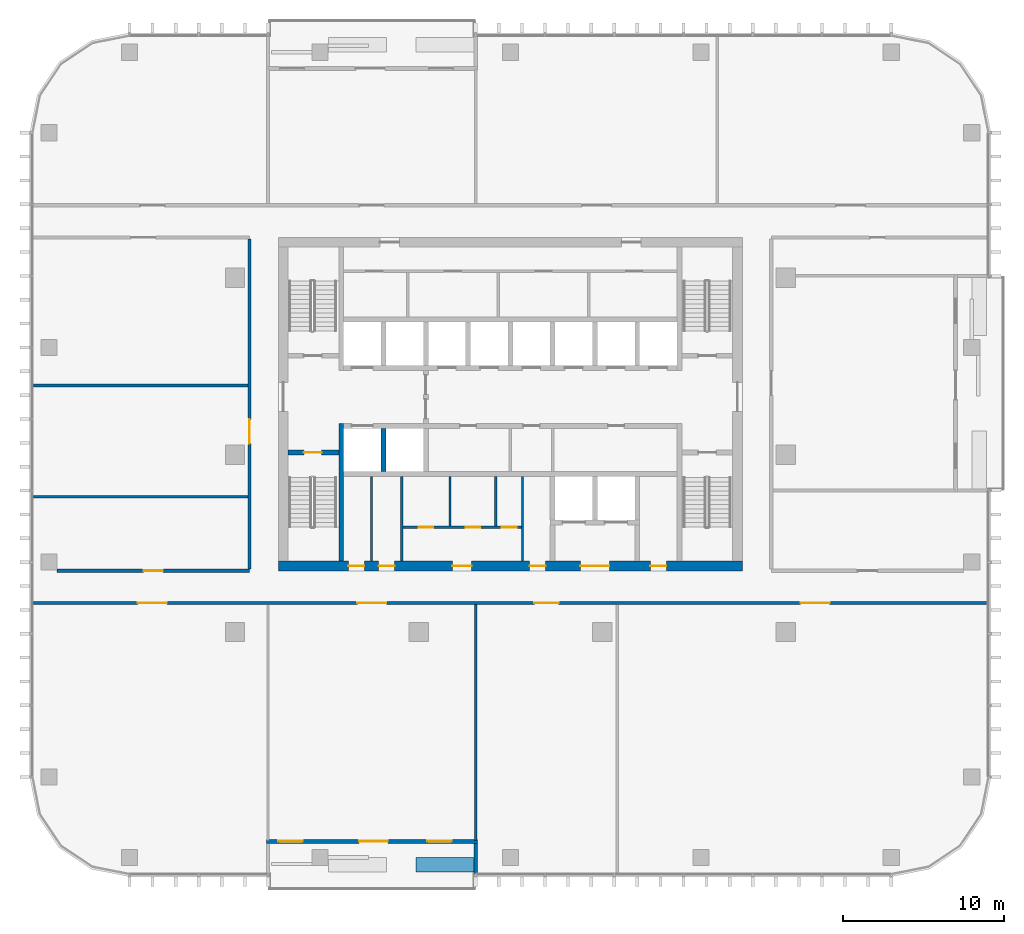
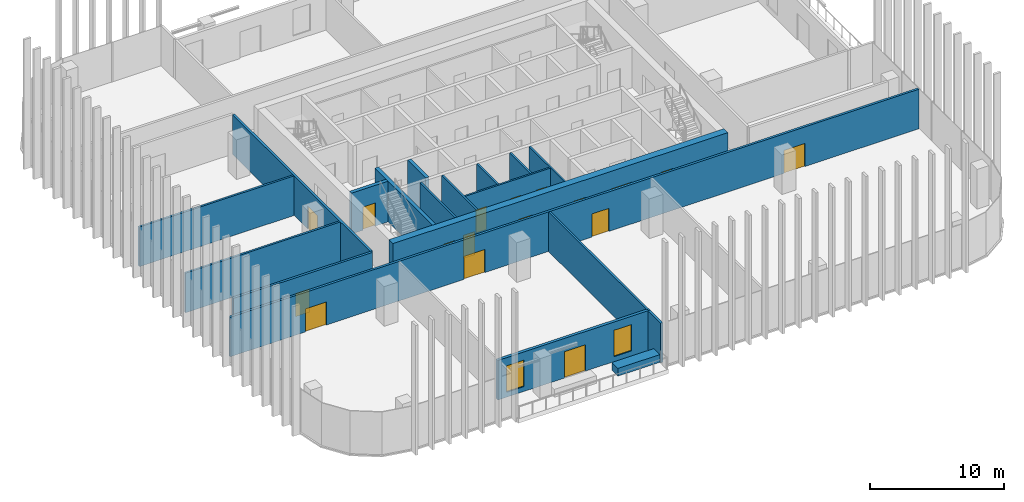
# One storey, part 7 of 16: 19 walls, 17 doors, 2 windows, 19 openings.
"""IFC4 building model written with IfcOpenShell, lengths in metres."""

from ifc_helpers import new_model, si_unit, direction, frame, frame_2d, origin, place, context, subcontext, project, spatial, rectangle, extrude, material, layer, layer_set, type_object, element, fill, save


model = new_model("IFC4")

# Units and contexts
model_context = context("Model", 3, precision=1e-05, world=origin(), true_north=direction((0.0, 1.0)))
body_context = subcontext(model_context, "Body", "Model", "MODEL_VIEW")
ifc_project = project(units=[si_unit("LENGTHUNIT", "METRE"), si_unit("AREAUNIT", "SQUARE_METRE"), si_unit("VOLUMEUNIT", "CUBIC_METRE"), si_unit("PLANEANGLEUNIT", "RADIAN"), si_unit("MASSUNIT", "GRAM", prefix="KILO")], contexts=[model_context])

# Site, building, storey
site_placement = place(None, origin())
site = spatial("IfcSite", under=ifc_project, at=site_placement, CompositionType="ELEMENT")
building_placement = place(site_placement, origin())
building = spatial("IfcBuilding", under=site, at=building_placement, Name="Mopane Tessera Tower", CompositionType="ELEMENT")
storey_placement = place(building_placement, frame((0.0, 0.0, 303.39990234375)))
storey = spatial("IfcBuildingStorey", under=building, at=storey_placement, Name="L66", CompositionType="ELEMENT", Elevation=303.39990234375)

# Walls
ifc_material_1 = material(Name="Fire-rated gypsum board partition")
ifc_layer_1 = layer(ifc_material_1, 0.14990234375)
ifc_layer_set_1 = layer_set([ifc_layer_1], Name="Fire-rated gypsum board partition")
wall_type_1 = type_object("IfcWallType", Name="Core room partition 150 mm", PredefinedType="PARTITIONING", material=ifc_layer_set_1)
for number, where, z_axis, x_axis, name in (
    (1, (-8.625, -6.60009765625, 0.0), (0.0, 0.0, 1.0), (0.0, 1.0, 0.0), "L66 Room partition"),
    (2, (-6.75, -6.60009765625, 0.0), (0.0, 0.0, 1.0), (0.0, 1.0, 0.0), "L66 Room partition"),
):
    element("IfcWall", number, at=place(storey_placement, frame(where, z_axis=z_axis, x_axis=x_axis)), inside=storey, type_object=wall_type_1, Name=name, PredefinedType="PARTITIONING", context=body_context, shape_type="SweptSolid", body=[
        extrude(rectangle(XDim=5.25, YDim=0.14990234375, at=frame_2d((2.625, 0.0))), origin(), (0.0, 0.0, 1.0), 3.7001953125),
    ])

# Wall, openings, doors
wall_1_placement = place(storey_placement, frame((-6.675048828125, -4.5, 0.0), z_axis=(0.0, 0.0, 1.0), x_axis=(1.0, 0.0, 0.0)))
wall_1 = element("IfcWall", 3, at=wall_1_placement, inside=storey, type_object=wall_type_1, Name="L66 WC partition", PredefinedType="PARTITIONING", context=body_context, shape_type="SweptSolid", body=[
    extrude(rectangle(XDim=7.35009765625, YDim=0.14990234375, at=frame_2d((3.675048828125, 0.0))), origin(), (0.0, 0.0, 1.0), 3.7001953125),
])
opening_1_placement = place(wall_1_placement, frame((0.97509765625, 0.0, 0.0)))
opening_1 = element("IfcOpeningElement", 4, at=opening_1_placement, cuts=wall_1, Name="Opening WD1", PredefinedType="OPENING", context=body_context, shape_type="SweptSolid", body=[
    extrude(rectangle(XDim=0.89990234375, YDim=2.10009765625, at=frame_2d((0.449951171875, 1.050048828125))), frame((0.0, 0.0869140625, 0.0), z_axis=(0.0, -1.0, 0.0), x_axis=(1.0, 0.0, 0.0)), (0.0, 0.0, 1.0), 0.173828125),
])
opening_2_placement = place(wall_1_placement, frame((3.89990234375, 0.0, 0.0)))
opening_2 = element("IfcOpeningElement", 5, at=opening_2_placement, cuts=wall_1, Name="Opening WD1", PredefinedType="OPENING", context=body_context, shape_type="SweptSolid", body=[
    extrude(rectangle(XDim=0.89990234375, YDim=2.10009765625, at=frame_2d((0.449951171875, 1.050048828125))), frame((0.0, 0.0869140625, 0.0), z_axis=(0.0, -1.0, 0.0), x_axis=(1.0, 0.0, 0.0)), (0.0, 0.0, 1.0), 0.173828125),
])
opening_3_placement = place(wall_1_placement, frame((6.125, 0.0, 0.0)))
opening_3 = element("IfcOpeningElement", 6, at=opening_3_placement, cuts=wall_1, Name="Opening WD2", PredefinedType="OPENING", context=body_context, shape_type="SweptSolid", body=[
    extrude(rectangle(XDim=0.949951171875, YDim=2.10009765625, at=frame_2d((0.47509765625, 1.050048828125))), frame((0.0, 0.0869140625, 0.0), z_axis=(0.0, -1.0, 0.0), x_axis=(1.0, 0.0, 0.0)), (0.0, 0.0, 1.0), 0.173828125),
])
ifc_material_2 = material(Name="Timber door", Category="wood")
door_type_1 = type_object("IfcDoorType", Name="Accessible WC door 950 x 2100", OperationType="SINGLE_SWING_LEFT", PredefinedType="DOOR", material=ifc_material_2)
door_1_placement = place(opening_3_placement, origin())
door_1 = element("IfcDoor", 7, at=door_1_placement, inside=storey, type_object=door_type_1, Name="L66 Accessible WC door", OperationType="SINGLE_SWING_LEFT", OverallHeight=2.10009765625, OverallWidth=0.949951171875, PredefinedType="DOOR", context=body_context, shape_type="SweptSolid", body=[
    extrude(rectangle(XDim=0.949951171875, YDim=2.10009765625, at=frame_2d((0.47509765625, 1.050048828125))), frame((0.0, 0.02490234375, 0.0), z_axis=(0.0, -1.0, 0.0), x_axis=(1.0, 0.0, 0.0)), (0.0, 0.0, 1.0), 0.050048828125),
])
fill(opening_3, door_1)
ifc_material_3 = material(Name="Timber door", Category="wood")
door_type_2 = type_object("IfcDoorType", Name="WC cubicle door 900 x 2100", OperationType="SINGLE_SWING_LEFT", PredefinedType="DOOR", material=ifc_material_3)
door_2_placement = place(opening_1_placement, origin())
door_2 = element("IfcDoor", 8, at=door_2_placement, inside=storey, type_object=door_type_2, Name="L66 Men's WC door", OperationType="SINGLE_SWING_LEFT", OverallHeight=2.10009765625, OverallWidth=0.89990234375, PredefinedType="DOOR", context=body_context, shape_type="SweptSolid", body=[
    extrude(rectangle(XDim=0.89990234375, YDim=2.10009765625, at=frame_2d((0.449951171875, 1.050048828125))), frame((0.0, 0.02490234375, 0.0), z_axis=(0.0, -1.0, 0.0), x_axis=(1.0, 0.0, 0.0)), (0.0, 0.0, 1.0), 0.050048828125),
])
fill(opening_1, door_2)
door_3_placement = place(opening_2_placement, origin())
door_3 = element("IfcDoor", 9, at=door_3_placement, inside=storey, type_object=door_type_2, Name="L66 Women's WC door", OperationType="SINGLE_SWING_LEFT", OverallHeight=2.10009765625, OverallWidth=0.89990234375, PredefinedType="DOOR", context=body_context, shape_type="SweptSolid", body=[
    extrude(rectangle(XDim=0.89990234375, YDim=2.10009765625, at=frame_2d((0.449951171875, 1.050048828125))), frame((0.0, 0.02490234375, 0.0), z_axis=(0.0, -1.0, 0.0), x_axis=(1.0, 0.0, 0.0)), (0.0, 0.0, 1.0), 0.050048828125),
])
fill(opening_2, door_3)

# Walls
for number, where, z_axis, x_axis, name in (
    (10, (-3.75, -4.425048828125, 0.0), (0.0, 0.0, 1.0), (0.0, 1.0, 0.0), "L66 WC partition"),
    (11, (-0.89990234375, -4.425048828125, 0.0), (0.0, 0.0, 1.0), (0.0, 1.0, 0.0), "L66 WC partition"),
):
    element("IfcWall", number, at=place(storey_placement, frame(where, z_axis=z_axis, x_axis=x_axis)), inside=storey, type_object=wall_type_1, Name=name, PredefinedType="PARTITIONING", context=body_context, shape_type="SweptSolid", body=[
        extrude(rectangle(XDim=3.074951171875, YDim=0.14990234375, at=frame_2d((1.53759765625, 0.0))), origin(), (0.0, 0.0, 1.0), 3.7001953125),
    ])
wall_2_placement = place(storey_placement, frame((0.75, -6.60009765625, 0.0), z_axis=(0.0, 0.0, 1.0), x_axis=(0.0, 1.0, 0.0)))
element("IfcWall", 12, at=wall_2_placement, inside=storey, type_object=wall_type_1, Name="L66 Room partition", PredefinedType="PARTITIONING", context=body_context, shape_type="SweptSolid", body=[
    extrude(rectangle(XDim=5.25, YDim=0.14990234375, at=frame_2d((2.625, 0.0))), origin(), (0.0, 0.0, 1.0), 3.7001953125),
])

# Wall, openings, doors
ifc_material_4 = material(Name="Concrete C70/85", Category="concrete")
ifc_layer_2 = layer(ifc_material_4, 0.60009765625)
ifc_layer_set_2 = layer_set([ifc_layer_2], Name="Concrete C70/85")
wall_type_2 = type_object("IfcWallType", Name="Core shear wall 600 mm", PredefinedType="SHEAR", material=ifc_layer_set_2)
wall_3_placement = place(storey_placement, frame((-14.39990234375, -6.89990234375, 0.0), z_axis=(0.0, 0.0, 1.0), x_axis=(1.0, 0.0, 0.0)))
wall_3 = element("IfcWall", 13, at=wall_3_placement, inside=storey, type_object=wall_type_2, Name="L66 Core wall south", PredefinedType="SHEAR", context=body_context, shape_type="SweptSolid", body=[
    extrude(rectangle(XDim=28.7998046875, YDim=0.60009765625, at=frame_2d((14.39990234375, 0.0))), origin(), (0.0, 0.0, 1.0), 3.7001953125),
])
opening_4_placement = place(wall_3_placement, frame((4.33740234375, 0.0, 0.0)))
opening_4 = element("IfcOpeningElement", 14, at=opening_4_placement, cuts=wall_3, Name="Opening RD1", PredefinedType="OPENING", context=body_context, shape_type="SweptSolid", body=[
    extrude(rectangle(XDim=1.0, YDim=2.10009765625, at=frame_2d((0.5, 1.050048828125))), frame((0.0, 0.31201171875, 0.0), z_axis=(0.0, -1.0, 0.0), x_axis=(1.0, 0.0, 0.0)), (0.0, 0.0, 1.0), 0.6240234375),
])
opening_5_placement = place(wall_3_placement, frame((6.21240234375, 0.0, 0.0)))
opening_5 = element("IfcOpeningElement", 15, at=opening_5_placement, cuts=wall_3, Name="Opening RD1", PredefinedType="OPENING", context=body_context, shape_type="SweptSolid", body=[
    extrude(rectangle(XDim=1.0, YDim=2.10009765625, at=frame_2d((0.5, 1.050048828125))), frame((0.0, 0.31201171875, 0.0), z_axis=(0.0, -1.0, 0.0), x_axis=(1.0, 0.0, 0.0)), (0.0, 0.0, 1.0), 0.6240234375),
])
opening_6_placement = place(wall_3_placement, frame((10.800048828125, 0.0, 0.0)))
opening_6 = element("IfcOpeningElement", 16, at=opening_6_placement, cuts=wall_3, Name="Opening WD3", PredefinedType="OPENING", context=body_context, shape_type="SweptSolid", body=[
    extrude(rectangle(XDim=1.199951171875, YDim=2.10009765625, at=frame_2d((0.60009765625, 1.050048828125))), frame((0.0, 0.31201171875, 0.0), z_axis=(0.0, -1.0, 0.0), x_axis=(1.0, 0.0, 0.0)), (0.0, 0.0, 1.0), 0.6240234375),
])
opening_7_placement = place(wall_3_placement, frame((15.58740234375, 0.0, 0.0)))
opening_7 = element("IfcOpeningElement", 17, at=opening_7_placement, cuts=wall_3, Name="Opening RD1", PredefinedType="OPENING", context=body_context, shape_type="SweptSolid", body=[
    extrude(rectangle(XDim=1.0, YDim=2.10009765625, at=frame_2d((0.5, 1.050048828125))), frame((0.0, 0.31201171875, 0.0), z_axis=(0.0, -1.0, 0.0), x_axis=(1.0, 0.0, 0.0)), (0.0, 0.0, 1.0), 0.6240234375),
])
opening_8_placement = place(wall_3_placement, frame((18.75, 0.0, 0.0)))
opening_8 = element("IfcOpeningElement", 18, at=opening_8_placement, cuts=wall_3, Name="Opening SD2", PredefinedType="OPENING", context=body_context, shape_type="SweptSolid", body=[
    extrude(rectangle(XDim=1.800048828125, YDim=2.10009765625, at=frame_2d((0.89990234375, 1.050048828125))), frame((0.0, 0.31201171875, 0.0), z_axis=(0.0, -1.0, 0.0), x_axis=(1.0, 0.0, 0.0)), (0.0, 0.0, 1.0), 0.6240234375),
])
opening_9_placement = place(wall_3_placement, frame((23.08740234375, 0.0, 0.0)))
opening_9 = element("IfcOpeningElement", 19, at=opening_9_placement, cuts=wall_3, Name="Opening RD1", PredefinedType="OPENING", context=body_context, shape_type="SweptSolid", body=[
    extrude(rectangle(XDim=1.0, YDim=2.10009765625, at=frame_2d((0.5, 1.050048828125))), frame((0.0, 0.31201171875, 0.0), z_axis=(0.0, -1.0, 0.0), x_axis=(1.0, 0.0, 0.0)), (0.0, 0.0, 1.0), 0.6240234375),
])
ifc_material_5 = material(Name="Steel fire door", Category="steel")
door_type_3 = type_object("IfcDoorType", Name="Core entrance double door 1800 x 2100", OperationType="DOUBLE_DOOR_SINGLE_SWING", PredefinedType="DOOR", material=ifc_material_5)
door_4_placement = place(opening_8_placement, origin())
door_4 = element("IfcDoor", 20, at=door_4_placement, inside=storey, type_object=door_type_3, Name="L66 Service lobby door", OperationType="DOUBLE_DOOR_SINGLE_SWING", OverallHeight=2.10009765625, OverallWidth=1.800048828125, PredefinedType="DOOR", context=body_context, shape_type="SweptSolid", body=[
    extrude(rectangle(XDim=1.800048828125, YDim=2.10009765625, at=frame_2d((0.89990234375, 1.050048828125))), frame((0.0, 0.02490234375, 0.0), z_axis=(0.0, -1.0, 0.0), x_axis=(1.0, 0.0, 0.0)), (0.0, 0.0, 1.0), 0.050048828125),
])
fill(opening_8, door_4)
ifc_material_6 = material(Name="Timber door", Category="wood")
door_type_4 = type_object("IfcDoorType", Name="Core room door 1000 x 2100", OperationType="SINGLE_SWING_LEFT", PredefinedType="DOOR", material=ifc_material_6)
door_5_placement = place(opening_4_placement, origin())
door_5 = element("IfcDoor", 21, at=door_5_placement, inside=storey, type_object=door_type_4, Name="L66 Room door", OperationType="SINGLE_SWING_LEFT", OverallHeight=2.10009765625, OverallWidth=1.0, PredefinedType="DOOR", context=body_context, shape_type="SweptSolid", body=[
    extrude(rectangle(XDim=1.0, YDim=2.10009765625, at=frame_2d((0.5, 1.050048828125))), frame((0.0, 0.02490234375, 0.0), z_axis=(0.0, -1.0, 0.0), x_axis=(1.0, 0.0, 0.0)), (0.0, 0.0, 1.0), 0.050048828125),
])
fill(opening_4, door_5)
door_6_placement = place(opening_5_placement, origin())
door_6 = element("IfcDoor", 22, at=door_6_placement, inside=storey, type_object=door_type_4, Name="L66 Room door", OperationType="SINGLE_SWING_LEFT", OverallHeight=2.10009765625, OverallWidth=1.0, PredefinedType="DOOR", context=body_context, shape_type="SweptSolid", body=[
    extrude(rectangle(XDim=1.0, YDim=2.10009765625, at=frame_2d((0.5, 1.050048828125))), frame((0.0, 0.02490234375, 0.0), z_axis=(0.0, -1.0, 0.0), x_axis=(1.0, 0.0, 0.0)), (0.0, 0.0, 1.0), 0.050048828125),
])
fill(opening_5, door_6)
door_7_placement = place(opening_7_placement, origin())
door_7 = element("IfcDoor", 23, at=door_7_placement, inside=storey, type_object=door_type_4, Name="L66 Room door", OperationType="SINGLE_SWING_LEFT", OverallHeight=2.10009765625, OverallWidth=1.0, PredefinedType="DOOR", context=body_context, shape_type="SweptSolid", body=[
    extrude(rectangle(XDim=1.0, YDim=2.10009765625, at=frame_2d((0.5, 1.050048828125))), frame((0.0, 0.02490234375, 0.0), z_axis=(0.0, -1.0, 0.0), x_axis=(1.0, 0.0, 0.0)), (0.0, 0.0, 1.0), 0.050048828125),
])
fill(opening_7, door_7)
door_8_placement = place(opening_9_placement, origin())
door_8 = element("IfcDoor", 24, at=door_8_placement, inside=storey, type_object=door_type_4, Name="L66 Room door", OperationType="SINGLE_SWING_LEFT", OverallHeight=2.10009765625, OverallWidth=1.0, PredefinedType="DOOR", context=body_context, shape_type="SweptSolid", body=[
    extrude(rectangle(XDim=1.0, YDim=2.10009765625, at=frame_2d((0.5, 1.050048828125))), frame((0.0, 0.02490234375, 0.0), z_axis=(0.0, -1.0, 0.0), x_axis=(1.0, 0.0, 0.0)), (0.0, 0.0, 1.0), 0.050048828125),
])
fill(opening_9, door_8)
ifc_material_7 = material(Name="Timber door", Category="wood")
door_type_5 = type_object("IfcDoorType", Name="WC lobby door 1200 x 2100", OperationType="SINGLE_SWING_LEFT", PredefinedType="DOOR", material=ifc_material_7)
door_9_placement = place(opening_6_placement, origin())
door_9 = element("IfcDoor", 25, at=door_9_placement, inside=storey, type_object=door_type_5, Name="L66 WC lobby door", OperationType="SINGLE_SWING_LEFT", OverallHeight=2.10009765625, OverallWidth=1.199951171875, PredefinedType="DOOR", context=body_context, shape_type="SweptSolid", body=[
    extrude(rectangle(XDim=1.199951171875, YDim=2.10009765625, at=frame_2d((0.60009765625, 1.050048828125))), frame((0.0, 0.02490234375, 0.0), z_axis=(0.0, -1.0, 0.0), x_axis=(1.0, 0.0, 0.0)), (0.0, 0.0, 1.0), 0.050048828125),
])
fill(opening_6, door_9)

# Walls
ifc_material_8 = material(Name="Concrete C60/75", Category="concrete")
ifc_layer_3 = layer(ifc_material_8, 0.300048828125)
ifc_layer_set_3 = layer_set([ifc_layer_3], Name="Concrete C60/75")
wall_type_3 = type_object("IfcWallType", Name="Core spine wall 300 mm", PredefinedType="SHEAR", material=ifc_layer_set_3)
wall_4_placement = place(storey_placement, frame((-10.5, -6.60009765625, 0.0), z_axis=(0.0, 0.0, 1.0), x_axis=(0.0, 1.0, 0.0)))
element("IfcWall", 26, at=wall_4_placement, inside=storey, type_object=wall_type_3, Name="L66 Core spine wall", PredefinedType="SHEAR", context=body_context, shape_type="SweptSolid", body=[
    extrude(rectangle(XDim=8.550048828125, YDim=0.300048828125, at=frame_2d((4.27490234375, 0.0))), origin(), (0.0, 0.0, 1.0), 3.7001953125),
])
ifc_material_9 = material(Name="Gypsum board on staggered steel studs, double layer each face, acoustic mineral wool infill", Category="steel")
ifc_layer_4 = layer(ifc_material_9, 0.175048828125)
ifc_layer_set_4 = layer_set([ifc_layer_4], Name="Gypsum board on staggered steel studs, double layer each face, acoustic mineral wool infill")
wall_type_4 = type_object("IfcWallType", Name="Gypsum board acoustic partition 175, rated EI 60", PredefinedType="PARTITIONING", material=ifc_layer_set_4)
for number, where, z_axis, x_axis, name in (
    (27, (-29.60009765625, -2.60009765625, 0.0), (0.0, 0.0, 1.0), (1.0, 0.0, 0.0), "Partition L66:003"),
    (28, (-29.60009765625, 4.300048828125, 0.0), (0.0, 0.0, 1.0), (1.0, 0.0, 0.0), "Partition L66:005"),
):
    element("IfcWall", number, at=place(storey_placement, frame(where, z_axis=z_axis, x_axis=x_axis)), inside=storey, type_object=wall_type_4, Name=name, PredefinedType="PARTITIONING", context=body_context, shape_type="SweptSolid", body=[
        extrude(rectangle(XDim=13.300048828125, YDim=0.175048828125, at=frame_2d((6.64990234375, 0.0))), origin(), (0.0, 0.0, 1.0), 3.60009765625),
    ])
wall_5_placement = place(storey_placement, frame((-2.14990234375, -23.949951171875, 0.0), z_axis=(0.0, 0.0, 1.0), x_axis=(0.0, 1.0, 0.0)))
element("IfcWall", 29, at=wall_5_placement, inside=storey, type_object=wall_type_4, Name="Partition L66:014", PredefinedType="PARTITIONING", context=body_context, shape_type="SweptSolid", body=[
    extrude(rectangle(XDim=14.64990234375, YDim=0.175048828125, at=frame_2d((7.324951171875, 0.0))), origin(), (0.0, 0.0, 1.0), 3.60009765625),
])

# Wall, openings, doors
ifc_material_10 = material(Name="Gypsum board on steel studs, two layers each face, mineral wool infill", Category="steel")
ifc_layer_5 = layer(ifc_material_10, 0.199951171875)
ifc_layer_set_5 = layer_set([ifc_layer_5], Name="Gypsum board on steel studs, two layers each face, mineral wool infill")
wall_type_5 = type_object("IfcWallType", Name="Gypsum board corridor wall 200, rated EI 60", PredefinedType="PARTITIONING", material=ifc_layer_set_5)
wall_6_placement = place(storey_placement, frame((-29.60009765625, -9.199951171875, 0.0), z_axis=(0.0, 0.0, 1.0), x_axis=(1.0, 0.0, 0.0)))
wall_6 = element("IfcWall", 30, at=wall_6_placement, inside=storey, type_object=wall_type_5, Name="Partition L66:000", PredefinedType="PARTITIONING", context=body_context, shape_type="SweptSolid", body=[
    extrude(rectangle(XDim=59.2001953125, YDim=0.199951171875, at=frame_2d((29.60009765625, 0.0))), origin(), (0.0, 0.0, 1.0), 3.60009765625),
])
opening_10_placement = place(wall_6_placement, frame((47.614990234375, 0.0, 0.0)))
opening_10 = element("IfcOpeningElement", 31, at=opening_10_placement, cuts=wall_6, Name="Opening L66-02", PredefinedType="OPENING", context=body_context, shape_type="SweptSolid", body=[
    extrude(rectangle(XDim=1.800048828125, YDim=2.10009765625, at=frame_2d((0.89990234375, 1.050048828125))), frame((0.0, 0.112060546875, 0.0), z_axis=(0.0, -1.0, 0.0), x_axis=(1.0, 0.0, 0.0)), (0.0, 0.0, 1.0), 0.223876953125),
])
opening_11_placement = place(wall_6_placement, frame((20.10009765625, 0.0, 0.0)))
opening_11 = element("IfcOpeningElement", 32, at=opening_11_placement, cuts=wall_6, Name="Opening L66-03", PredefinedType="OPENING", context=body_context, shape_type="SweptSolid", body=[
    extrude(rectangle(XDim=1.800048828125, YDim=2.10009765625, at=frame_2d((0.89990234375, 1.050048828125))), frame((0.0, 0.112060546875, 0.0), z_axis=(0.0, -1.0, 0.0), x_axis=(1.0, 0.0, 0.0)), (0.0, 0.0, 1.0), 0.223876953125),
])
opening_12_placement = place(wall_6_placement, frame((6.47509765625, 0.0, 0.0)))
opening_12 = element("IfcOpeningElement", 33, at=opening_12_placement, cuts=wall_6, Name="Opening L66-09", PredefinedType="OPENING", context=body_context, shape_type="SweptSolid", body=[
    extrude(rectangle(XDim=1.800048828125, YDim=2.10009765625, at=frame_2d((0.89990234375, 1.050048828125))), frame((0.0, 0.112060546875, 0.0), z_axis=(0.0, -1.0, 0.0), x_axis=(1.0, 0.0, 0.0)), (0.0, 0.0, 1.0), 0.223876953125),
])
opening_13_placement = place(wall_6_placement, frame((31.090087890625, 0.0, 0.0)))
opening_13 = element("IfcOpeningElement", 34, at=opening_13_placement, cuts=wall_6, Name="Opening L66-13", PredefinedType="OPENING", context=body_context, shape_type="SweptSolid", body=[
    extrude(rectangle(XDim=1.5, YDim=2.10009765625, at=frame_2d((0.75, 1.050048828125))), frame((0.0, 0.112060546875, 0.0), z_axis=(0.0, -1.0, 0.0), x_axis=(1.0, 0.0, 0.0)), (0.0, 0.0, 1.0), 0.223876953125),
])
ifc_material_11 = material(Name="Timber veneered steel-framed fire door", Category="steel")
door_type_6 = type_object("IfcDoorType", Name="Fire door pair FD60 1500 x 2100", OperationType="DOUBLE_DOOR_SINGLE_SWING", PredefinedType="DOOR", material=ifc_material_11)
door_10_placement = place(opening_13_placement, origin())
door_10 = element("IfcDoor", 35, at=door_10_placement, inside=storey, type_object=door_type_6, Name="Door L66-13", ObjectType="D17A", OperationType="DOUBLE_DOOR_SINGLE_SWING", OverallHeight=2.10009765625, OverallWidth=1.5, PredefinedType="DOOR", context=body_context, shape_type="SweptSolid", body=[
    extrude(rectangle(XDim=1.5, YDim=2.10009765625, at=frame_2d((0.75, 1.050048828125))), frame((0.0, 0.02490234375, 0.0), z_axis=(0.0, -1.0, 0.0), x_axis=(1.0, 0.0, 0.0)), (0.0, 0.0, 1.0), 0.050048828125),
])
fill(opening_13, door_10)
ifc_material_12 = material(Name="Timber veneered steel-framed fire door", Category="steel")
door_type_7 = type_object("IfcDoorType", Name="Fire door pair FD60 1800 x 2100", OperationType="DOUBLE_DOOR_SINGLE_SWING", PredefinedType="DOOR", material=ifc_material_12)
door_11_placement = place(opening_10_placement, origin())
door_11 = element("IfcDoor", 36, at=door_11_placement, inside=storey, type_object=door_type_7, Name="Door L66-02", ObjectType="D20A", OperationType="DOUBLE_DOOR_SINGLE_SWING", OverallHeight=2.10009765625, OverallWidth=1.800048828125, PredefinedType="DOOR", context=body_context, shape_type="SweptSolid", body=[
    extrude(rectangle(XDim=1.800048828125, YDim=2.10009765625, at=frame_2d((0.89990234375, 1.050048828125))), frame((0.0, 0.02490234375, 0.0), z_axis=(0.0, -1.0, 0.0), x_axis=(1.0, 0.0, 0.0)), (0.0, 0.0, 1.0), 0.050048828125),
])
fill(opening_10, door_11)
door_12_placement = place(opening_11_placement, origin())
door_12 = element("IfcDoor", 37, at=door_12_placement, inside=storey, type_object=door_type_7, Name="Door L66-03", ObjectType="D20A", OperationType="DOUBLE_DOOR_SINGLE_SWING", OverallHeight=2.10009765625, OverallWidth=1.800048828125, PredefinedType="DOOR", context=body_context, shape_type="SweptSolid", body=[
    extrude(rectangle(XDim=1.800048828125, YDim=2.10009765625, at=frame_2d((0.89990234375, 1.050048828125))), frame((0.0, 0.02490234375, 0.0), z_axis=(0.0, -1.0, 0.0), x_axis=(1.0, 0.0, 0.0)), (0.0, 0.0, 1.0), 0.050048828125),
])
fill(opening_11, door_12)
door_13_placement = place(opening_12_placement, origin())
door_13 = element("IfcDoor", 38, at=door_13_placement, inside=storey, type_object=door_type_7, Name="Door L66-09", ObjectType="D20A", OperationType="DOUBLE_DOOR_SINGLE_SWING", OverallHeight=2.10009765625, OverallWidth=1.800048828125, PredefinedType="DOOR", context=body_context, shape_type="SweptSolid", body=[
    extrude(rectangle(XDim=1.800048828125, YDim=2.10009765625, at=frame_2d((0.89990234375, 1.050048828125))), frame((0.0, 0.02490234375, 0.0), z_axis=(0.0, -1.0, 0.0), x_axis=(1.0, 0.0, 0.0)), (0.0, 0.0, 1.0), 0.050048828125),
])
fill(opening_12, door_13)

# Wall, opening, door
wall_7_placement = place(storey_placement, frame((-28.14990234375, -7.199951171875, 0.0), z_axis=(0.0, 0.0, 1.0), x_axis=(1.0, 0.0, 0.0)))
wall_7 = element("IfcWall", 39, at=wall_7_placement, inside=storey, type_object=wall_type_5, Name="Partition L66:001", PredefinedType="PARTITIONING", context=body_context, shape_type="SweptSolid", body=[
    extrude(rectangle(XDim=11.949951171875, YDim=0.199951171875, at=frame_2d((5.97509765625, 0.0))), origin(), (0.0, 0.0, 1.0), 3.60009765625),
])
opening_14_placement = place(wall_7_placement, frame((5.375, 0.0, 0.0)))
opening_14 = element("IfcOpeningElement", 40, at=opening_14_placement, cuts=wall_7, Name="Opening L66-08", PredefinedType="OPENING", context=body_context, shape_type="SweptSolid", body=[
    extrude(rectangle(XDim=1.199951171875, YDim=2.10009765625, at=frame_2d((0.60009765625, 1.050048828125))), frame((0.0, 0.112060546875, 0.0), z_axis=(0.0, -1.0, 0.0), x_axis=(1.0, 0.0, 0.0)), (0.0, 0.0, 1.0), 0.223876953125),
])
ifc_material_13 = material(Name="Timber veneered steel-framed fire door", Category="steel")
door_type_8 = type_object("IfcDoorType", Name="Fire door FD60 1200 x 2100", OperationType="SINGLE_SWING_LEFT", PredefinedType="DOOR", material=ifc_material_13)
door_14_placement = place(opening_14_placement, origin())
door_14 = element("IfcDoor", 41, at=door_14_placement, inside=storey, type_object=door_type_8, Name="Door L66-08", ObjectType="D15A", OperationType="SINGLE_SWING_LEFT", OverallHeight=2.10009765625, OverallWidth=1.199951171875, PredefinedType="DOOR", context=body_context, shape_type="SweptSolid", body=[
    extrude(rectangle(XDim=1.199951171875, YDim=2.10009765625, at=frame_2d((0.60009765625, 1.050048828125))), frame((0.0, 0.02490234375, 0.0), z_axis=(0.0, -1.0, 0.0), x_axis=(1.0, 0.0, 0.0)), (0.0, 0.0, 1.0), 0.050048828125),
])
fill(opening_14, door_14)

wall_8_placement = place(storey_placement, frame((-16.199951171875, -7.10009765625, 0.0), z_axis=(0.0, 0.0, 1.0), x_axis=(0.0, 1.0, 0.0)))
wall_8 = element("IfcWall", 42, at=wall_8_placement, inside=storey, type_object=wall_type_5, Name="Partition L66:010", PredefinedType="PARTITIONING", context=body_context, shape_type="SweptSolid", body=[
    extrude(rectangle(XDim=20.5, YDim=0.199951171875, at=frame_2d((10.25, 0.0))), origin(), (0.0, 0.0, 1.0), 3.60009765625),
])
opening_15_placement = place(wall_8_placement, frame((7.800048828125, 0.0, 0.0)))
opening_15 = element("IfcOpeningElement", 43, at=opening_15_placement, cuts=wall_8, Name="Opening L66-11", PredefinedType="OPENING", context=body_context, shape_type="SweptSolid", body=[
    extrude(rectangle(XDim=1.5, YDim=2.10009765625, at=frame_2d((0.75, 1.050048828125))), frame((0.0, 0.112060546875, 0.0), z_axis=(0.0, -1.0, 0.0), x_axis=(1.0, 0.0, 0.0)), (0.0, 0.0, 1.0), 0.223876953125),
])
door_15_placement = place(opening_15_placement, origin())
door_15 = element("IfcDoor", 44, at=door_15_placement, inside=storey, type_object=door_type_6, Name="Door L66-11", ObjectType="D17A", OperationType="DOUBLE_DOOR_SINGLE_SWING", OverallHeight=2.10009765625, OverallWidth=1.5, PredefinedType="DOOR", context=body_context, shape_type="SweptSolid", body=[
    extrude(rectangle(XDim=1.5, YDim=2.10009765625, at=frame_2d((0.75, 1.050048828125))), frame((0.0, 0.02490234375, 0.0), z_axis=(0.0, -1.0, 0.0), x_axis=(1.0, 0.0, 0.0)), (0.0, 0.0, 1.0), 0.050048828125),
])
fill(opening_15, door_15)

ifc_material_14 = material(Name="Concrete C50/60", Category="concrete")
ifc_layer_6 = layer(ifc_material_14, 0.300048828125)
ifc_layer_set_6 = layer_set([ifc_layer_6], Name="Concrete C50/60")
wall_type_6 = type_object("IfcWallType", Name="Lift and stair shaft wall 300 mm", PredefinedType="SOLIDWALL", material=ifc_layer_set_6)
wall_9_placement = place(storey_placement, frame((-13.800048828125, 0.14990234375, 0.0), z_axis=(0.0, 0.0, 1.0), x_axis=(1.0, 0.0, 0.0)))
wall_9 = element("IfcWall", 45, at=wall_9_placement, inside=storey, type_object=wall_type_6, Name="L66 Stair enclosure wall", PredefinedType="SOLIDWALL", context=body_context, shape_type="SweptSolid", body=[
    extrude(rectangle(XDim=3.150146484375, YDim=0.300048828125, at=frame_2d((1.5751953125, 0.0))), origin(), (0.0, 0.0, 1.0), 3.7001953125),
])
opening_16_placement = place(wall_9_placement, frame((0.97509765625, 0.0, 0.0)))
opening_16 = element("IfcOpeningElement", 46, at=opening_16_placement, cuts=wall_9, Name="Opening SD1", PredefinedType="OPENING", context=body_context, shape_type="SweptSolid", body=[
    extrude(rectangle(XDim=1.10009765625, YDim=2.10009765625, at=frame_2d((0.550048828125, 1.050048828125))), frame((0.0, 0.162109375, 0.0), z_axis=(0.0, -1.0, 0.0), x_axis=(1.0, 0.0, 0.0)), (0.0, 0.0, 1.0), 0.323974609375),
])
ifc_material_15 = material(Name="Steel fire door", Category="steel")
door_type_9 = type_object("IfcDoorType", Name="Stair fire door 1100 x 2100", OperationType="SINGLE_SWING_LEFT", PredefinedType="DOOR", material=ifc_material_15)
door_16_placement = place(opening_16_placement, origin())
door_16 = element("IfcDoor", 47, at=door_16_placement, inside=storey, type_object=door_type_9, Name="L66 Stair door ST1", OperationType="SINGLE_SWING_LEFT", OverallHeight=2.10009765625, OverallWidth=1.10009765625, PredefinedType="DOOR", context=body_context, shape_type="SweptSolid", body=[
    extrude(rectangle(XDim=1.10009765625, YDim=2.10009765625, at=frame_2d((0.550048828125, 1.050048828125))), frame((0.0, 0.02490234375, 0.0), z_axis=(0.0, -1.0, 0.0), x_axis=(1.0, 0.0, 0.0)), (0.0, 0.0, 1.0), 0.050048828125),
])
fill(opening_16, door_16)

# Walls
wall_10_placement = place(storey_placement, frame((-7.875, -1.050048828125, 0.0), z_axis=(0.0, 0.0, 1.0), x_axis=(0.0, 1.0, 0.0)))
element("IfcWall", 48, at=wall_10_placement, inside=storey, type_object=wall_type_6, Name="L66 Lift shaft wall", PredefinedType="SOLIDWALL", context=body_context, shape_type="SweptSolid", body=[
    extrude(rectangle(XDim=2.699951171875, YDim=0.300048828125, at=frame_2d((1.35009765625, 0.0))), origin(), (0.0, 0.0, 1.0), 3.7001953125),
])
ifc_material_16 = material(Name="Reinforced concrete C32/40 with waterproofing", Category="concrete")
ifc_layer_7 = layer(ifc_material_16, 0.89990234375)
ifc_layer_set_7 = layer_set([ifc_layer_7], Name="Reinforced concrete C32/40 with waterproofing")
wall_type_7 = type_object("IfcWallType", Name="Planter trough 3600 x 900", PredefinedType="STANDARD", material=ifc_layer_set_7)
wall_11_placement = place(storey_placement, frame((-5.85009765625, -25.449951171875, 0.0), z_axis=(0.0, 0.0, 1.0), x_axis=(1.0, 0.0, 0.0)))
element("IfcWall", 49, at=wall_11_placement, inside=storey, type_object=wall_type_7, Name="e:nw:L66:N3:pl1", PredefinedType="STANDARD", context=body_context, shape_type="SweptSolid", body=[
    extrude(rectangle(XDim=3.60009765625, YDim=0.89990234375, at=frame_2d((1.800048828125, 0.0))), origin(), (0.0, 0.0, 1.0), 0.7001953125),
])
ifc_material_17 = material(Name="Blockwork with glazed tile facing", Category="masonry")
ifc_layer_8 = layer(ifc_material_17, 0.199951171875)
ifc_layer_set_8 = layer_set([ifc_layer_8], Name="Blockwork with glazed tile facing")
wall_type_8 = type_object("IfcWallType", Name="Terrace cheek wall 200", PredefinedType="STANDARD", material=ifc_layer_set_8)
wall_12_placement = place(storey_placement, frame((-2.14990234375, -26.0, 0.0), z_axis=(0.0, 0.0, 1.0), x_axis=(0.0, 1.0, 0.0)))
element("IfcWall", 50, at=wall_12_placement, inside=storey, type_object=wall_type_8, Name="e:nw:L66:N3:cheekb", PredefinedType="STANDARD", context=body_context, shape_type="SweptSolid", body=[
    extrude(rectangle(XDim=1.875, YDim=0.199951171875, at=frame_2d((0.9375, 0.0))), origin(), (0.0, 0.0, 1.0), 3.60009765625),
])

# Wall, openings, windows, door
ifc_material_18 = material(Name="Blockwork with ultramarine glazed tile facing", Category="masonry")
ifc_layer_9 = layer(ifc_material_18, 0.25)
ifc_layer_set_9 = layer_set([ifc_layer_9], Name="Blockwork with ultramarine glazed tile facing")
wall_type_9 = type_object("IfcWallType", Name="Tile-clad external wall 250, ultramarine", PredefinedType="STANDARD", material=ifc_layer_set_9)
wall_13_placement = place(storey_placement, frame((-15.14990234375, -24.0, 0.0), z_axis=(0.0, 0.0, 1.0), x_axis=(1.0, 0.0, 0.0)))
wall_13 = element("IfcWall", 51, at=wall_13_placement, inside=storey, type_object=wall_type_9, Name="e:nw:L66:N3:back", PredefinedType="STANDARD", context=body_context, shape_type="SweptSolid", body=[
    extrude(rectangle(XDim=13.099853515625, YDim=0.25, at=frame_2d((6.5498046875, 0.0))), origin(), (0.0, 0.0, 1.0), 3.60009765625),
])
opening_17_placement = place(wall_13_placement, frame((0.75, 0.0, 0.449951171875)))
opening_17 = element("IfcOpeningElement", 52, at=opening_17_placement, cuts=wall_13, Name="Opening NW663A", PredefinedType="OPENING", context=body_context, shape_type="SweptSolid", body=[
    extrude(rectangle(XDim=1.5, YDim=2.39990234375, at=frame_2d((0.75, 1.199951171875))), frame((0.0, 0.136962890625, 0.0), z_axis=(0.0, -1.0, 0.0), x_axis=(1.0, 0.0, 0.0)), (0.0, 0.0, 1.0), 0.27392578125),
])
opening_18_placement = place(wall_13_placement, frame((5.75, 0.0, 0.0)))
opening_18 = element("IfcOpeningElement", 53, at=opening_18_placement, cuts=wall_13, Name="Opening ND663", PredefinedType="OPENING", context=body_context, shape_type="SweptSolid", body=[
    extrude(rectangle(XDim=1.800048828125, YDim=2.39990234375, at=frame_2d((0.89990234375, 1.199951171875))), frame((0.0, 0.136962890625, 0.0), z_axis=(0.0, -1.0, 0.0), x_axis=(1.0, 0.0, 0.0)), (0.0, 0.0, 1.0), 0.27392578125),
])
opening_19_placement = place(wall_13_placement, frame((10.0, 0.0, 0.449951171875)))
opening_19 = element("IfcOpeningElement", 54, at=opening_19_placement, cuts=wall_13, Name="Opening NW663B", PredefinedType="OPENING", context=body_context, shape_type="SweptSolid", body=[
    extrude(rectangle(XDim=1.5, YDim=2.39990234375, at=frame_2d((0.75, 1.199951171875))), frame((0.0, 0.136962890625, 0.0), z_axis=(0.0, -1.0, 0.0), x_axis=(1.0, 0.0, 0.0)), (0.0, 0.0, 1.0), 0.27392578125),
])
ifc_material_19 = material(Name="Clear laminated glass", Category="glass")
window_type = type_object("IfcWindowType", Name="Fixed window 1500 x 2400", PartitioningType="SINGLE_PANEL", PredefinedType="WINDOW", material=ifc_material_19)
window_1_placement = place(opening_17_placement, origin())
window_1 = element("IfcWindow", 55, at=window_1_placement, inside=storey, type_object=window_type, Name="e:nw:L66:N3:win0", OverallHeight=2.39990234375, OverallWidth=1.5, PartitioningType="SINGLE_PANEL", PredefinedType="WINDOW", context=body_context, shape_type="SweptSolid", body=[
    extrude(rectangle(XDim=1.5, YDim=2.39990234375, at=frame_2d((0.75, 1.199951171875))), frame((0.0, 0.030029296875, 0.0), z_axis=(0.0, -1.0, 0.0), x_axis=(1.0, 0.0, 0.0)), (0.0, 0.0, 1.0), 0.06005859375),
])
fill(opening_17, window_1)
window_2_placement = place(opening_19_placement, origin())
window_2 = element("IfcWindow", 56, at=window_2_placement, inside=storey, type_object=window_type, Name="e:nw:L66:N3:win2", OverallHeight=2.39990234375, OverallWidth=1.5, PartitioningType="SINGLE_PANEL", PredefinedType="WINDOW", context=body_context, shape_type="SweptSolid", body=[
    extrude(rectangle(XDim=1.5, YDim=2.39990234375, at=frame_2d((0.75, 1.199951171875))), frame((0.0, 0.030029296875, 0.0), z_axis=(0.0, -1.0, 0.0), x_axis=(1.0, 0.0, 0.0)), (0.0, 0.0, 1.0), 0.06005859375),
])
fill(opening_19, window_2)
ifc_material_20 = material(Name="Aluminium and clear glass", Category="aluminium")
door_type_10 = type_object("IfcDoorType", Name="Terrace double door 1800 x 2400", OperationType="DOUBLE_DOOR_SINGLE_SWING", PredefinedType="DOOR", material=ifc_material_20)
door_17_placement = place(opening_18_placement, origin())
door_17 = element("IfcDoor", 57, at=door_17_placement, inside=storey, type_object=door_type_10, Name="e:nw:L66:N3:door", ObjectType="D1", OperationType="DOUBLE_DOOR_SINGLE_SWING", OverallHeight=2.39990234375, OverallWidth=1.800048828125, PredefinedType="DOOR", context=body_context, shape_type="SweptSolid", body=[
    extrude(rectangle(XDim=1.800048828125, YDim=2.39990234375, at=frame_2d((0.89990234375, 1.199951171875))), frame((0.0, 0.02490234375, 0.0), z_axis=(0.0, -1.0, 0.0), x_axis=(1.0, 0.0, 0.0)), (0.0, 0.0, 1.0), 0.050048828125),
])
fill(opening_18, door_17)

save(model, "model.ifc")
